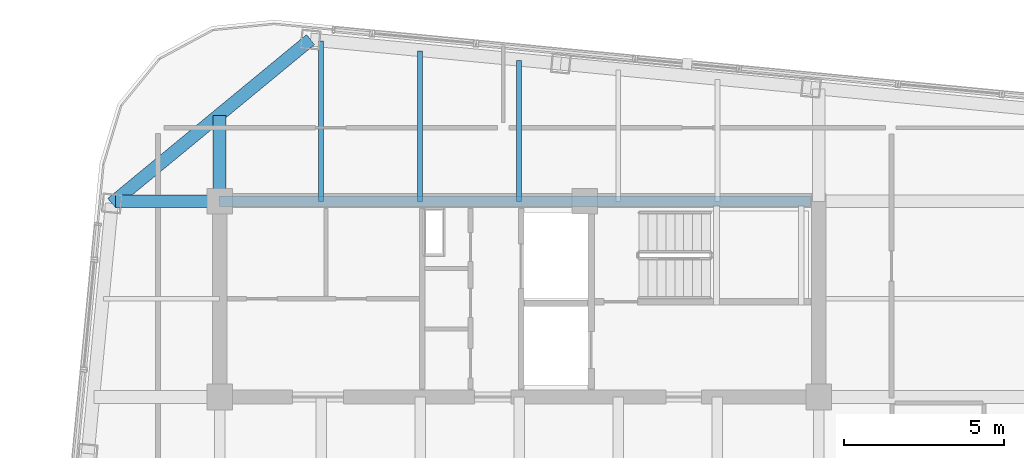
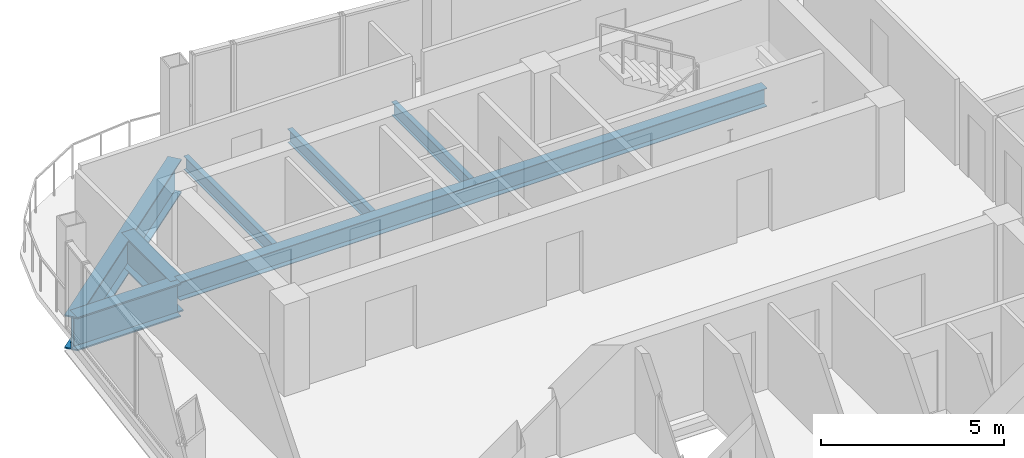
# One storey, part 13 of 22: 7 beams.
"""IFC4 building model written with IfcOpenShell, lengths in metres."""

from ifc_helpers import new_model, si_unit, direction, frame, origin, origin_2d, place, context, subcontext, project, spatial, i_section, extrude, material, material_profile, profile_set, type_object, element, save


model = new_model("IFC4")

# Units and contexts
model_context = context("Model", 3, precision=1e-05, world=origin(), true_north=direction((0.0, 1.0)))
body_context = subcontext(model_context, "Body", "Model", "MODEL_VIEW")
ifc_project = project(units=[si_unit("LENGTHUNIT", "METRE"), si_unit("AREAUNIT", "SQUARE_METRE"), si_unit("VOLUMEUNIT", "CUBIC_METRE"), si_unit("PLANEANGLEUNIT", "RADIAN"), si_unit("MASSUNIT", "GRAM", prefix="KILO")], contexts=[model_context])

# Site, building, storey
site_placement = place(None, origin())
site = spatial("IfcSite", under=ifc_project, at=site_placement, CompositionType="ELEMENT")
building_placement = place(site_placement, origin())
building = spatial("IfcBuilding", under=site, at=building_placement, Name="Qhalaya Broadcast Tower", CompositionType="ELEMENT")
storey_placement = place(building_placement, frame((0.0, 0.0, 245.89990234375)))
storey = spatial("IfcBuildingStorey", under=building, at=storey_placement, Name="L72", CompositionType="ELEMENT", Elevation=245.89990234375)

# Beams
ifc_material = material(Name="Structural Steel ASTM A992 Grade 50", Category="steel")
ifc_material_profile_1 = material_profile(ifc_material, i_section(OverallWidth=0.154052734375, OverallDepth=0.458984375, WebThickness=0.009033203125, FlangeThickness=0.015380859375, at=origin_2d()), Name="W18X46")
ifc_profile_set_1 = profile_set([ifc_material_profile_1], Name="Structural Steel ASTM A992 Grade 50")
beam_type_1 = type_object("IfcBeamType", Name="Composite Floor Joist J04", PredefinedType="JOIST", material=ifc_profile_set_1)
beam_1_placement = place(storey_placement, frame((-6.199951171875, 9.949951171875, -0.41943359375), z_axis=(0.0, 1.0, 0.0), x_axis=(-1.0, 0.0, 0.0)))
element("IfcBeam", 1, at=beam_1_placement, inside=storey, type_object=beam_type_1, Name="L72 J04 L72-JNN1-1", PredefinedType="JOIST", context=body_context, shape_type="SweptSolid", body=[
    extrude(i_section(OverallWidth=0.154052734375, OverallDepth=0.458984375, WebThickness=0.009033203125, FlangeThickness=0.015380859375, at=origin_2d()), origin(), (0.0, 0.0, 1.0), 5.0087890625),
])
beam_2_placement = place(storey_placement, frame((-3.10009765625, 9.949951171875, -0.41943359375), z_axis=(0.0, 1.0, 0.0), x_axis=(-1.0, 0.0, 0.0)))
element("IfcBeam", 2, at=beam_2_placement, inside=storey, type_object=beam_type_1, Name="L72 J04 L72-JNN2-1", PredefinedType="JOIST", context=body_context, shape_type="SweptSolid", body=[
    extrude(i_section(OverallWidth=0.154052734375, OverallDepth=0.458984375, WebThickness=0.009033203125, FlangeThickness=0.015380859375, at=origin_2d()), origin(), (0.0, 0.0, 1.0), 4.710205078125),
])
beam_3_placement = place(storey_placement, frame((0.0, 9.949951171875, -0.41943359375), z_axis=(0.0, 1.0, 0.0), x_axis=(-1.0, 0.0, 0.0)))
element("IfcBeam", 3, at=beam_3_placement, inside=storey, type_object=beam_type_1, Name="L72 J04 L72-JNN3-1", PredefinedType="JOIST", context=body_context, shape_type="SweptSolid", body=[
    extrude(i_section(OverallWidth=0.154052734375, OverallDepth=0.458984375, WebThickness=0.009033203125, FlangeThickness=0.015380859375, at=origin_2d()), origin(), (0.0, 0.0, 1.0), 4.411865234375),
])
ifc_material_profile_2 = material_profile(ifc_material, i_section(OverallWidth=0.323974609375, OverallDepth=0.612060546875, WebThickness=0.0126953125, FlangeThickness=0.01904296875, at=origin_2d()), Name="W24X104")
ifc_profile_set_2 = profile_set([ifc_material_profile_2], Name="Structural Steel ASTM A992 Grade 50")
beam_type_2 = type_object("IfcBeamType", Name="Core Frame Tie Beam B04", PredefinedType="BEAM", material=ifc_profile_set_2)
beam_4_placement = place(storey_placement, frame((-9.375, 9.949951171875, -0.495849609375), z_axis=(1.0, 0.0, 0.0), x_axis=(0.0, 1.0, 0.0)))
element("IfcBeam", 4, at=beam_4_placement, inside=storey, type_object=beam_type_2, Name="L72 B04 L72-CCN3", PredefinedType="BEAM", context=body_context, shape_type="SweptSolid", body=[
    extrude(i_section(OverallWidth=0.323974609375, OverallDepth=0.612060546875, WebThickness=0.0126953125, FlangeThickness=0.01904296875, at=origin_2d()), origin(), (0.0, 0.0, 1.0), 18.4951171875),
])
ifc_material_profile_3 = material_profile(ifc_material, i_section(OverallWidth=0.404052734375, OverallDepth=1.117919921875, WebThickness=0.026123046875, FlangeThickness=0.044921875, at=origin_2d()), Name="W44X335")
ifc_profile_set_3 = profile_set([ifc_material_profile_3], Name="Structural Steel ASTM A992 Grade 50")
beam_type_3 = type_object("IfcBeamType", Name="Podium Long-Span Primary Girder PG1", PredefinedType="USERDEFINED", material=ifc_profile_set_3)
beam_5_placement = place(storey_placement, frame((-6.5283203125, 15.010498046875, -0.7490234375), z_axis=(-0.771631160126, -0.636070241972, 0.0), x_axis=(0.636070241972, -0.771631160126, 0.0)))
element("IfcBeam", 5, at=beam_5_placement, inside=storey, type_object=beam_type_3, Name="L72 PG1 L72-SPR-12", ObjectType="GIRDER", PredefinedType="USERDEFINED", context=body_context, shape_type="SweptSolid", body=[
    extrude(i_section(OverallWidth=0.404052734375, OverallDepth=1.117919921875, WebThickness=0.026123046875, FlangeThickness=0.044921875, at=origin_2d()), origin(), (0.0, 0.0, 1.0), 8.06103515625),
])
beam_6_placement = place(storey_placement, frame((-9.375, 9.949951171875, -0.7490234375), z_axis=(0.0, 1.0, 0.0), x_axis=(-1.0, 0.0, 0.0)))
element("IfcBeam", 6, at=beam_6_placement, inside=storey, type_object=beam_type_3, Name="L72 PG1 L72-PGXN1-1", ObjectType="GIRDER", PredefinedType="USERDEFINED", context=body_context, shape_type="SweptSolid", body=[
    extrude(i_section(OverallWidth=0.404052734375, OverallDepth=1.117919921875, WebThickness=0.026123046875, FlangeThickness=0.044921875, at=origin_2d()), origin(), (0.0, 0.0, 1.0), 2.68798828125),
])
beam_7_placement = place(storey_placement, frame((-12.6357421875, 9.949951171875, -0.7490234375), z_axis=(1.0, 0.0, 0.0), x_axis=(0.0, 1.0, 0.0)))
element("IfcBeam", 7, at=beam_7_placement, inside=storey, type_object=beam_type_3, Name="L72 PG1 L72-PGYW4-1", ObjectType="GIRDER", PredefinedType="USERDEFINED", context=body_context, shape_type="SweptSolid", body=[
    extrude(i_section(OverallWidth=0.404052734375, OverallDepth=1.117919921875, WebThickness=0.026123046875, FlangeThickness=0.044921875, at=origin_2d()), origin(), (0.0, 0.0, 1.0), 3.2607421875),
])

save(model, "model.ifc")
